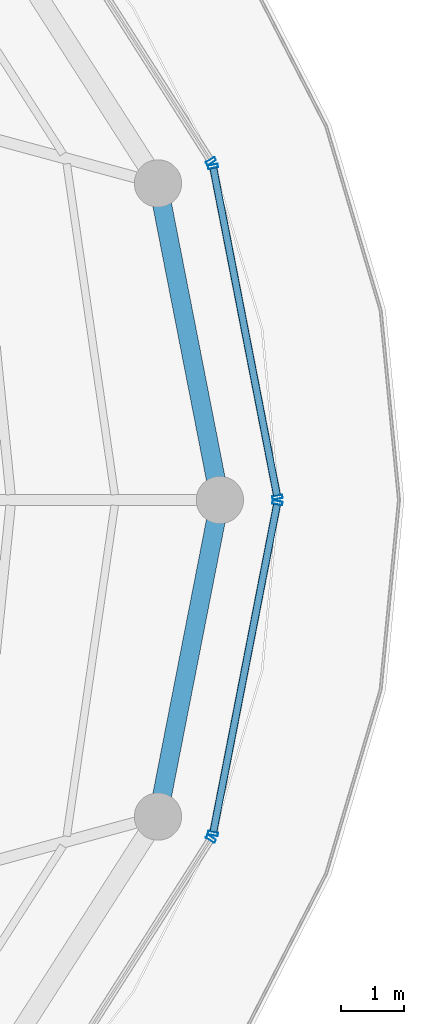
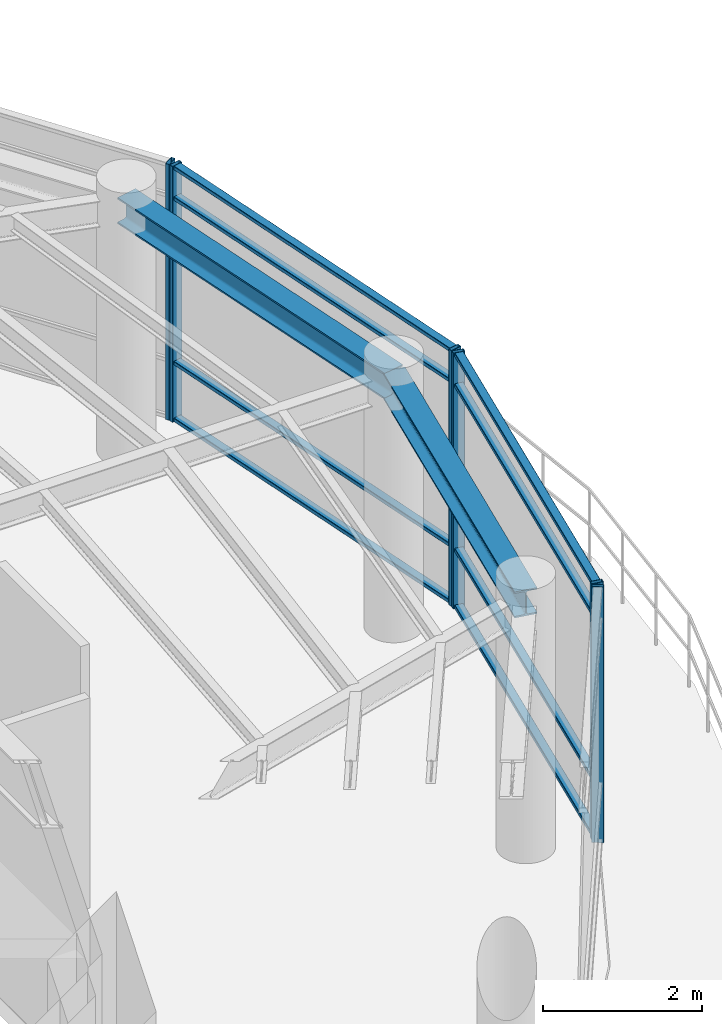
# One storey, part 15 of 20: 14 members, 2 beams, 4 elements without a shape of their own.
"""IFC4 building model written with IfcOpenShell, lengths in metres."""

from ifc_helpers import new_model, si_unit, direction, frame, origin, origin_2d, place, context, subcontext, project, spatial, hollow_rectangle, i_section, extrude, material, layer, layer_set, material_profile, profile_set, type_object, element, aggregate, save


model = new_model("IFC4")

# Units and contexts
model_context = context("Model", 3, precision=1e-05, world=origin(), true_north=direction((0.0, 1.0)))
body_context = subcontext(model_context, "Body", "Model", "MODEL_VIEW")
ifc_project = project(units=[si_unit("LENGTHUNIT", "METRE"), si_unit("AREAUNIT", "SQUARE_METRE"), si_unit("VOLUMEUNIT", "CUBIC_METRE"), si_unit("PLANEANGLEUNIT", "RADIAN"), si_unit("MASSUNIT", "GRAM", prefix="KILO")], contexts=[model_context])

# Site, building, storey
site_placement = place(None, origin())
site = spatial("IfcSite", under=ifc_project, at=site_placement, CompositionType="ELEMENT")
building_placement = place(site_placement, origin())
building = spatial("IfcBuilding", under=site, at=building_placement, Name="Kelanora Arch Commons", CompositionType="ELEMENT")
storey_placement = place(building_placement, frame((0.0, 0.0, 298.5)))
storey = spatial("IfcBuildingStorey", under=building, at=storey_placement, Name="L76", CompositionType="ELEMENT", Elevation=298.5)

# Beams
ifc_material_1 = material(Name="Steel S355", Category="steel")
ifc_material_profile_1 = material_profile(ifc_material_1, i_section(OverallWidth=0.300048828125, OverallDepth=0.39990234375, WebThickness=0.013427734375, FlangeThickness=0.02392578125, FilletRadius=0.027099609375, at=origin_2d()), Name="HEB400")
ifc_profile_set_1 = profile_set([ifc_material_profile_1], Name="Steel S355")
beam_type = type_object("IfcBeamType", Name="BM-SPN-Z4", PredefinedType="SPANDREL", material=ifc_profile_set_1)
for number, where, z_axis, x_axis, name in (
    (1, (90.280029296875, 58.0, 3.739990234375), (-0.191929675955, 0.981408681176, 0.0), (-0.981408681176, -0.191929675955, 0.0), "Perimeter Spandrel Beam BS-00 L76"),
    (2, (89.298095703125, 52.97900390625, 3.739990234375), (0.191929675955, 0.981408681176, 0.0), (-0.981408681176, 0.191929675955, 0.0), "Perimeter Spandrel Beam BS-34 L76"),
):
    element("IfcBeam", number, at=place(storey_placement, frame(where, z_axis=z_axis, x_axis=x_axis)), inside=storey, type_object=beam_type, Name=name, PredefinedType="SPANDREL", context=body_context, shape_type="SweptSolid", body=[
        extrude(i_section(OverallWidth=0.300048828125, OverallDepth=0.39990234375, WebThickness=0.013427734375, FlangeThickness=0.02392578125, FilletRadius=0.027099609375, at=origin_2d()), origin(), (0.0, 0.0, 1.0), 5.1162109375),
    ])

# Curtain wall, members
ifc_material_2 = material(Name="Terracotta ceramic-fritted low-E glass and aluminium", Category="masonry")
ifc_layer = layer(ifc_material_2, 0.14990234375)
ifc_layer_set = layer_set([ifc_layer], Name="Terracotta ceramic-fritted low-E glass and aluminium")
curtain_wall_type = type_object("IfcCurtainWallType", Name="CW-SYS-06", PredefinedType="NOTDEFINED", material=ifc_layer_set)
curtain_wall_1_placement = place(storey_placement, origin())
curtain_wall_1 = element("IfcCurtainWall", 3, at=curtain_wall_1_placement, inside=storey, type_object=curtain_wall_type, Name="Unitised Curtain Wall L76-B00", PredefinedType="NOTDEFINED")
ifc_material_3 = material(Name="Powder-coated aluminium terracotta", Category="masonry")
ifc_material_profile_2 = material_profile(ifc_material_3, hollow_rectangle(XDim=0.159912109375, YDim=0.06005859375, WallThickness=0.0048828125, InnerFilletRadius=0.0048828125, OuterFilletRadius=0.010009765625, at=origin_2d()), Name="CWM160x60")
ifc_profile_set_2 = profile_set([ifc_material_profile_2], Name="Powder-coated aluminium terracotta")
member_type_1 = type_object("IfcMemberType", Name="CWM-STD", PredefinedType="MULLION", material=ifc_profile_set_2)
member_1_placement = place(storey_placement, frame((91.19140625, 58.044189453125, 0.0), z_axis=(0.0, 0.0, 1.0), x_axis=(-0.981623765263, -0.190826579571, 0.0)))
member_1 = element("IfcMember", 4, at=member_1_placement, type_object=member_type_1, Name="CW-06 mullion 1", PredefinedType="MULLION", context=body_context, shape_type="SweptSolid", body=[
    extrude(hollow_rectangle(XDim=0.159912109375, YDim=0.06005859375, WallThickness=0.0048828125, InnerFilletRadius=0.0048828125, OuterFilletRadius=0.010009765625, at=origin_2d()), origin(), (0.0, 0.0, 1.0), 3.925048828125),
])
member_2_placement = place(storey_placement, frame((90.17138671875, 63.291259765625, 0.0), z_axis=(0.0, 0.0, 1.0), x_axis=(-0.981623765263, -0.190826579571, 0.0)))
member_2 = element("IfcMember", 5, at=member_2_placement, type_object=member_type_1, Name="CW-06 mullion 2", PredefinedType="MULLION", context=body_context, shape_type="SweptSolid", body=[
    extrude(hollow_rectangle(XDim=0.159912109375, YDim=0.06005859375, WallThickness=0.0048828125, InnerFilletRadius=0.0048828125, OuterFilletRadius=0.010009765625, at=origin_2d()), origin(), (0.0, 0.0, 1.0), 3.925048828125),
])

# Curtain wall, member
curtain_wall_2_placement = place(storey_placement, origin())
curtain_wall_2 = element("IfcCurtainWall", 6, at=curtain_wall_2_placement, inside=storey, type_object=curtain_wall_type, Name="Unitised Curtain Wall L76-B01", PredefinedType="NOTDEFINED")
member_3_placement = place(storey_placement, frame((90.138427734375, 63.37353515625, 0.0), z_axis=(0.0, 0.0, 1.0), x_axis=(-0.84359225554, -0.536984270154, 0.0)))
member_3 = element("IfcMember", 7, at=member_3_placement, type_object=member_type_1, Name="CW-06 mullion 1", PredefinedType="MULLION", context=body_context, shape_type="SweptSolid", body=[
    extrude(hollow_rectangle(XDim=0.159912109375, YDim=0.06005859375, WallThickness=0.0048828125, InnerFilletRadius=0.0048828125, OuterFilletRadius=0.010009765625, at=origin_2d()), origin(), (0.0, 0.0, 1.0), 3.925048828125),
])
aggregate(curtain_wall_2, [member_3])

curtain_wall_3_placement = place(storey_placement, origin())
curtain_wall_3 = element("IfcCurtainWall", 8, at=curtain_wall_3_placement, inside=storey, type_object=curtain_wall_type, Name="Unitised Curtain Wall L76-B16", PredefinedType="NOTDEFINED")
member_4_placement = place(storey_placement, frame((90.138427734375, 52.62646484375, 0.0), z_axis=(0.0, 0.0, 1.0), x_axis=(-0.84359225554, 0.536984270154, 0.0)))
member_4 = element("IfcMember", 9, at=member_4_placement, type_object=member_type_1, Name="CW-06 mullion 2", PredefinedType="MULLION", context=body_context, shape_type="SweptSolid", body=[
    extrude(hollow_rectangle(XDim=0.159912109375, YDim=0.06005859375, WallThickness=0.0048828125, InnerFilletRadius=0.0048828125, OuterFilletRadius=0.010009765625, at=origin_2d()), origin(), (0.0, 0.0, 1.0), 3.925048828125),
])
aggregate(curtain_wall_3, [member_4])

# Curtain wall, members
curtain_wall_4_placement = place(storey_placement, origin())
curtain_wall_4 = element("IfcCurtainWall", 10, at=curtain_wall_4_placement, inside=storey, type_object=curtain_wall_type, Name="Unitised Curtain Wall L76-B17", PredefinedType="NOTDEFINED")
member_5_placement = place(storey_placement, frame((90.17138671875, 52.708740234375, 0.0), z_axis=(0.0, 0.0, 1.0), x_axis=(-0.981623765263, 0.190826579571, 0.0)))
member_5 = element("IfcMember", 11, at=member_5_placement, type_object=member_type_1, Name="CW-06 mullion 1", PredefinedType="MULLION", context=body_context, shape_type="SweptSolid", body=[
    extrude(hollow_rectangle(XDim=0.159912109375, YDim=0.06005859375, WallThickness=0.0048828125, InnerFilletRadius=0.0048828125, OuterFilletRadius=0.010009765625, at=origin_2d()), origin(), (0.0, 0.0, 1.0), 3.925048828125),
])
member_6_placement = place(storey_placement, frame((91.19140625, 57.955810546875, 0.0), z_axis=(0.0, 0.0, 1.0), x_axis=(-0.981623765263, 0.190826579571, 0.0)))
member_6 = element("IfcMember", 12, at=member_6_placement, type_object=member_type_1, Name="CW-06 mullion 2", PredefinedType="MULLION", context=body_context, shape_type="SweptSolid", body=[
    extrude(hollow_rectangle(XDim=0.159912109375, YDim=0.06005859375, WallThickness=0.0048828125, InnerFilletRadius=0.0048828125, OuterFilletRadius=0.010009765625, at=origin_2d()), origin(), (0.0, 0.0, 1.0), 3.925048828125),
])

# Member
ifc_material_profile_3 = material_profile(ifc_material_3, hollow_rectangle(XDim=0.1201171875, YDim=0.06005859375, WallThickness=0.0048828125, InnerFilletRadius=0.0048828125, OuterFilletRadius=0.010009765625, at=origin_2d()), Name="CWT120x60")
ifc_profile_set_3 = profile_set([ifc_material_profile_3], Name="Powder-coated aluminium terracotta")
member_type_2 = type_object("IfcMemberType", Name="CWT-STD", PredefinedType="USERDEFINED", material=ifc_profile_set_3)
member_7_placement = place(storey_placement, frame((91.185546875, 58.073486328125, 0.030029296875), z_axis=(-0.190810315943, 0.981626926755, 0.0), x_axis=(-0.981626926755, -0.190810315943, 0.0)))
member_7 = element("IfcMember", 13, at=member_7_placement, type_object=member_type_2, Name="CW-06 transom 1.1", ObjectType="TRANSOM", PredefinedType="USERDEFINED", context=body_context, shape_type="SweptSolid", body=[
    extrude(hollow_rectangle(XDim=0.1201171875, YDim=0.06005859375, WallThickness=0.0048828125, InnerFilletRadius=0.0048828125, OuterFilletRadius=0.010009765625, at=origin_2d()), origin(), (0.0, 0.0, 1.0), 5.28564453125),
])

member_8_placement = place(storey_placement, frame((91.185546875, 58.073486328125, 0.89990234375), z_axis=(-0.190810315943, 0.981626926755, 0.0), x_axis=(-0.981626926755, -0.190810315943, 0.0)))
member_8 = element("IfcMember", 14, at=member_8_placement, type_object=member_type_2, Name="CW-06 transom 1.2", ObjectType="TRANSOM", PredefinedType="USERDEFINED", context=body_context, shape_type="SweptSolid", body=[
    extrude(hollow_rectangle(XDim=0.1201171875, YDim=0.06005859375, WallThickness=0.0048828125, InnerFilletRadius=0.0048828125, OuterFilletRadius=0.010009765625, at=origin_2d()), origin(), (0.0, 0.0, 1.0), 5.28564453125),
])

member_9_placement = place(storey_placement, frame((91.185546875, 58.073486328125, 3.425048828125), z_axis=(-0.190810315943, 0.981626926755, 0.0), x_axis=(-0.981626926755, -0.190810315943, 0.0)))
member_9 = element("IfcMember", 15, at=member_9_placement, type_object=member_type_2, Name="CW-06 transom 1.3", ObjectType="TRANSOM", PredefinedType="USERDEFINED", context=body_context, shape_type="SweptSolid", body=[
    extrude(hollow_rectangle(XDim=0.1201171875, YDim=0.06005859375, WallThickness=0.0048828125, InnerFilletRadius=0.0048828125, OuterFilletRadius=0.010009765625, at=origin_2d()), origin(), (0.0, 0.0, 1.0), 5.28564453125),
])

member_10_placement = place(storey_placement, frame((91.185546875, 58.073486328125, 3.89501953125), z_axis=(-0.190810315943, 0.981626926755, 0.0), x_axis=(-0.981626926755, -0.190810315943, 0.0)))
member_10 = element("IfcMember", 16, at=member_10_placement, type_object=member_type_2, Name="CW-06 transom 1.4", ObjectType="TRANSOM", PredefinedType="USERDEFINED", context=body_context, shape_type="SweptSolid", body=[
    extrude(hollow_rectangle(XDim=0.1201171875, YDim=0.06005859375, WallThickness=0.0048828125, InnerFilletRadius=0.0048828125, OuterFilletRadius=0.010009765625, at=origin_2d()), origin(), (0.0, 0.0, 1.0), 5.28564453125),
])

aggregate(curtain_wall_1, [member_1, member_2, member_7, member_8, member_9, member_10])

member_11_placement = place(storey_placement, frame((90.177001953125, 52.738037109375, 0.030029296875), z_axis=(0.190810315943, 0.981626926755, 0.0), x_axis=(-0.981626926755, 0.190810315943, 0.0)))
member_11 = element("IfcMember", 17, at=member_11_placement, type_object=member_type_2, Name="CW-06 transom 1.1", ObjectType="TRANSOM", PredefinedType="USERDEFINED", context=body_context, shape_type="SweptSolid", body=[
    extrude(hollow_rectangle(XDim=0.1201171875, YDim=0.06005859375, WallThickness=0.0048828125, InnerFilletRadius=0.0048828125, OuterFilletRadius=0.010009765625, at=origin_2d()), origin(), (0.0, 0.0, 1.0), 5.28564453125),
])

member_12_placement = place(storey_placement, frame((90.177001953125, 52.738037109375, 0.89990234375), z_axis=(0.190810315943, 0.981626926755, 0.0), x_axis=(-0.981626926755, 0.190810315943, 0.0)))
member_12 = element("IfcMember", 18, at=member_12_placement, type_object=member_type_2, Name="CW-06 transom 1.2", ObjectType="TRANSOM", PredefinedType="USERDEFINED", context=body_context, shape_type="SweptSolid", body=[
    extrude(hollow_rectangle(XDim=0.1201171875, YDim=0.06005859375, WallThickness=0.0048828125, InnerFilletRadius=0.0048828125, OuterFilletRadius=0.010009765625, at=origin_2d()), origin(), (0.0, 0.0, 1.0), 5.28564453125),
])

member_13_placement = place(storey_placement, frame((90.177001953125, 52.738037109375, 3.425048828125), z_axis=(0.190810315943, 0.981626926755, 0.0), x_axis=(-0.981626926755, 0.190810315943, 0.0)))
member_13 = element("IfcMember", 19, at=member_13_placement, type_object=member_type_2, Name="CW-06 transom 1.3", ObjectType="TRANSOM", PredefinedType="USERDEFINED", context=body_context, shape_type="SweptSolid", body=[
    extrude(hollow_rectangle(XDim=0.1201171875, YDim=0.06005859375, WallThickness=0.0048828125, InnerFilletRadius=0.0048828125, OuterFilletRadius=0.010009765625, at=origin_2d()), origin(), (0.0, 0.0, 1.0), 5.28564453125),
])

member_14_placement = place(storey_placement, frame((90.177001953125, 52.738037109375, 3.89501953125), z_axis=(0.190810315943, 0.981626926755, 0.0), x_axis=(-0.981626926755, 0.190810315943, 0.0)))
member_14 = element("IfcMember", 20, at=member_14_placement, type_object=member_type_2, Name="CW-06 transom 1.4", ObjectType="TRANSOM", PredefinedType="USERDEFINED", context=body_context, shape_type="SweptSolid", body=[
    extrude(hollow_rectangle(XDim=0.1201171875, YDim=0.06005859375, WallThickness=0.0048828125, InnerFilletRadius=0.0048828125, OuterFilletRadius=0.010009765625, at=origin_2d()), origin(), (0.0, 0.0, 1.0), 5.28564453125),
])

aggregate(curtain_wall_4, [member_5, member_6, member_11, member_12, member_13, member_14])

save(model, "model.ifc")
